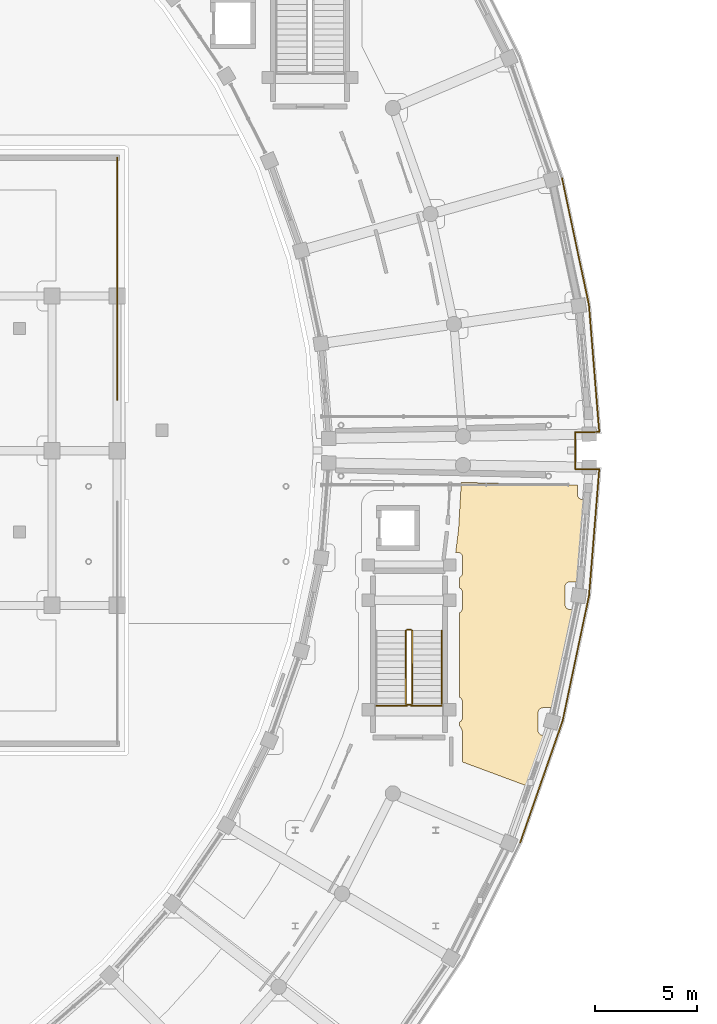
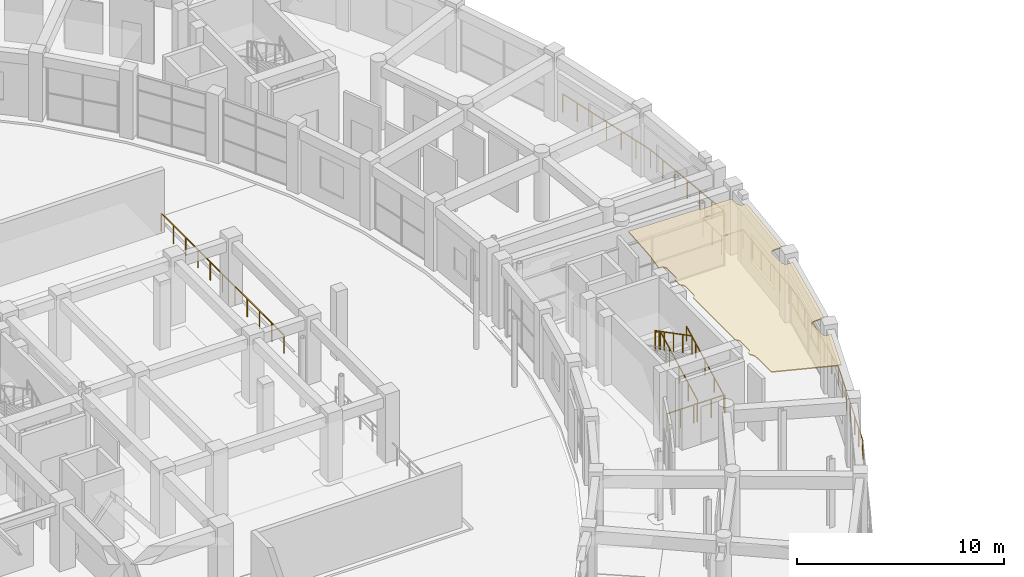
# One storey, part 83 of 87: 16 railings, 1 covering.
"""IFC4 building model written with IfcOpenShell, lengths in metres."""

from ifc_helpers import new_model, si_unit, direction, frame, origin, origin_2d, place, context, subcontext, project, spatial, polyline, rectangle, outline, extrude, material, layer, layer_set, type_object, element, save


model = new_model("IFC4")

# Units and contexts
model_context = context("Model", 3, precision=1e-05, world=origin(), true_north=direction((0.0, 1.0)))
body_context = subcontext(model_context, "Body", "Model", "MODEL_VIEW")
ifc_project = project(units=[si_unit("LENGTHUNIT", "METRE"), si_unit("AREAUNIT", "SQUARE_METRE"), si_unit("VOLUMEUNIT", "CUBIC_METRE"), si_unit("PLANEANGLEUNIT", "RADIAN"), si_unit("MASSUNIT", "GRAM", prefix="KILO")], contexts=[model_context])

# Site, building, storey
site_placement = place(None, origin())
site = spatial("IfcSite", under=ifc_project, at=site_placement, CompositionType="ELEMENT")
building_placement = place(site_placement, origin())
building = spatial("IfcBuilding", under=site, at=building_placement, Name="Saryqyr Civic Hall", CompositionType="ELEMENT")
storey_placement = place(building_placement, frame((0.0, 0.0, 5.10009765625)))
storey = spatial("IfcBuildingStorey", under=building, at=storey_placement, Name="L01", CompositionType="ELEMENT", Elevation=5.10009765625)

# Covering
ifc_material_1 = material(Name="Mineral-fibre acoustic ceiling tile", Category="acoustic_tile")
ifc_layer_1 = layer(ifc_material_1, 0.06005859375, Name="Mineral-fibre acoustic ceiling tile")
ifc_layer_set_1 = layer_set([ifc_layer_1], Name="Mineral-fibre acoustic ceiling tile")
covering_type = type_object("IfcCoveringType", Name="INT-COV-CEIL-60", PredefinedType="CEILING", material=ifc_layer_set_1)
covering_placement = place(storey_placement, frame((0.0, 0.0, 3.7099609375)))
element("IfcCovering", 1, at=covering_placement, inside=storey, type_object=covering_type, Name="Acoustic ceiling Public & Accessible MGN WC L01-E", PredefinedType="CEILING", context=body_context, shape_type="SweptSolid", body=[
    extrude(outline(polyline([(99.707275390625, 82.443359375), (103.612548828125, 82.351318359375), (103.625, 82.340087890625), (103.64453125, 82.32568359375), (103.665771484375, 82.31298828125), (103.687744140625, 82.302490234375), (103.7109375, 82.294189453125), (103.734619140625, 82.288330078125), (103.759033203125, 82.28466796875), (103.783447265625, 82.283447265625), (104.216552734375, 82.283447265625), (104.240966796875, 82.28466796875), (104.265380859375, 82.288330078125), (104.2890625, 82.294189453125), (104.312255859375, 82.302490234375), (104.334228515625, 82.31298828125), (104.35546875, 82.32568359375), (104.3662109375, 82.33349609375), (105.410400390625, 82.30908203125), (105.410400390625, 81.856689453125), (105.41162109375, 81.832275390625), (105.415283203125, 81.807861328125), (105.42138671875, 81.7841796875), (105.429443359375, 81.760986328125), (105.43994140625, 81.739013671875), (105.45263671875, 81.7177734375), (105.46728515625, 81.697998046875), (105.483642578125, 81.679931640625), (105.501953125, 81.663330078125), (105.521484375, 81.648681640625), (105.542724609375, 81.63623046875), (105.564697265625, 81.625732421875), (105.587890625, 81.617431640625), (105.61181640625, 81.611572265625), (105.635986328125, 81.60791015625), (105.660400390625, 81.606689453125), (105.82080078125, 81.606689453125), (105.564453125, 78.253173828125), (105.47314453125, 77.56005859375), (105.050048828125, 77.56005859375), (105.025390625, 77.558837890625), (105.001220703125, 77.55517578125), (104.977294921875, 77.54931640625), (104.954345703125, 77.541015625), (104.93212890625, 77.530517578125), (104.9111328125, 77.517822265625), (104.891357421875, 77.50341796875), (104.873291015625, 77.48681640625), (104.856689453125, 77.468505859375), (104.842041015625, 77.448974609375), (104.82958984375, 77.427734375), (104.819091796875, 77.40576171875), (104.810791015625, 77.382568359375), (104.8046875, 77.35888671875), (104.80126953125, 77.33447265625), (104.800048828125, 77.31005859375), (104.800048828125, 76.449951171875), (104.80126953125, 76.425537109375), (104.8046875, 76.401123046875), (104.810791015625, 76.37744140625), (104.819091796875, 76.354248046875), (104.82958984375, 76.332275390625), (104.842041015625, 76.31103515625), (104.856689453125, 76.29150390625), (104.873291015625, 76.273193359375), (104.891357421875, 76.256591796875), (104.9111328125, 76.2421875), (104.93212890625, 76.2294921875), (104.954345703125, 76.218994140625), (104.977294921875, 76.210693359375), (105.001220703125, 76.204833984375), (105.025390625, 76.201171875), (105.050048828125, 76.199951171875), (105.2939453125, 76.199951171875), (105.284912109375, 76.131591796875), (104.4287109375, 72.07470703125), (104.244384765625, 71.37109375), (103.72802734375, 71.37109375), (103.70361328125, 71.3701171875), (103.67919921875, 71.366455078125), (103.655517578125, 71.3603515625), (103.63232421875, 71.352294921875), (103.610107421875, 71.341796875), (103.589111328125, 71.3291015625), (103.5693359375, 71.314453125), (103.55126953125, 71.298095703125), (103.53466796875, 71.27978515625), (103.52001953125, 71.260009765625), (103.507568359375, 71.239013671875), (103.4970703125, 71.216796875), (103.48876953125, 71.19384765625), (103.48291015625, 71.169921875), (103.479248046875, 71.145751953125), (103.47802734375, 71.12109375), (103.47802734375, 70.26123046875), (103.479248046875, 70.23681640625), (103.48291015625, 70.21240234375), (103.48876953125, 70.188720703125), (103.4970703125, 70.16552734375), (103.507568359375, 70.143310546875), (103.52001953125, 70.122314453125), (103.53466796875, 70.1025390625), (103.55126953125, 70.08447265625), (103.5693359375, 70.06787109375), (103.589111328125, 70.05322265625), (103.610107421875, 70.040771484375), (103.63232421875, 70.0302734375), (103.655517578125, 70.02197265625), (103.67919921875, 70.01611328125), (103.70361328125, 70.012451171875), (103.72802734375, 70.01123046875), (103.877197265625, 70.01123046875), (103.002685546875, 67.504150390625), (99.77001953125, 68.705078125), (99.76953125, 70.10400390625), (99.76708984375, 70.156494140625), (99.759521484375, 70.20849609375), (99.7470703125, 70.259765625), (99.729736328125, 70.309326171875), (99.7080078125, 70.357177734375), (99.681396484375, 70.402587890625), (99.65087890625, 70.4453125), (99.6201171875, 70.480712890625), (99.6201171875, 70.666015625), (99.6376953125, 70.674560546875), (99.658935546875, 70.68701171875), (99.6787109375, 70.70166015625), (99.69677734375, 70.71826171875), (99.71337890625, 70.736328125), (99.727783203125, 70.756103515625), (99.740478515625, 70.777099609375), (99.7509765625, 70.79931640625), (99.75927734375, 70.822509765625), (99.76513671875, 70.84619140625), (99.768798828125, 70.87060546875), (99.77001953125, 70.89501953125), (99.77001953125, 71.655029296875), (99.768798828125, 71.679443359375), (99.76513671875, 71.703857421875), (99.75927734375, 71.7275390625), (99.7509765625, 71.750732421875), (99.740478515625, 71.772705078125), (99.727783203125, 71.7939453125), (99.71337890625, 71.813720703125), (99.69677734375, 71.831787109375), (99.6787109375, 71.848388671875), (99.658935546875, 71.86279296875), (99.6376953125, 71.87548828125), (99.6201171875, 71.8837890625), (99.6201171875, 76.041015625), (99.6376953125, 76.049560546875), (99.658935546875, 76.06201171875), (99.6787109375, 76.07666015625), (99.69677734375, 76.09326171875), (99.71337890625, 76.111328125), (99.727783203125, 76.131103515625), (99.740478515625, 76.152099609375), (99.7509765625, 76.17431640625), (99.75927734375, 76.197509765625), (99.76513671875, 76.22119140625), (99.768798828125, 76.24560546875), (99.77001953125, 76.27001953125), (99.77001953125, 77.030029296875), (99.768798828125, 77.054443359375), (99.76513671875, 77.078857421875), (99.75927734375, 77.1025390625), (99.7509765625, 77.125732421875), (99.740478515625, 77.147705078125), (99.727783203125, 77.1689453125), (99.71337890625, 77.188720703125), (99.69677734375, 77.206787109375), (99.6787109375, 77.223388671875), (99.658935546875, 77.23779296875), (99.6376953125, 77.25048828125), (99.6201171875, 77.2587890625), (99.6201171875, 77.77099609375), (99.6376953125, 77.779541015625), (99.658935546875, 77.7919921875), (99.6787109375, 77.806640625), (99.69677734375, 77.8232421875), (99.71337890625, 77.84130859375), (99.727783203125, 77.861083984375), (99.740478515625, 77.882080078125), (99.7509765625, 77.904296875), (99.75927734375, 77.927490234375), (99.76513671875, 77.951171875), (99.768798828125, 77.9755859375), (99.77001953125, 78.0), (99.77001953125, 78.760009765625), (99.768798828125, 78.784423828125), (99.76513671875, 78.808837890625), (99.75927734375, 78.83251953125), (99.7509765625, 78.855712890625), (99.740478515625, 78.877685546875), (99.727783203125, 78.89892578125), (99.71337890625, 78.918701171875), (99.69677734375, 78.936767578125), (99.6787109375, 78.953369140625), (99.658935546875, 78.968017578125), (99.6376953125, 78.98046875), (99.61572265625, 78.990966796875), (99.592529296875, 78.999267578125), (99.56884765625, 79.005126953125), (99.54443359375, 79.0087890625), (99.52001953125, 79.010009765625), (99.43505859375, 79.010009765625), (99.57470703125, 80.1376953125), (99.578125, 80.17431640625), (99.707275390625, 82.443359375)])), origin(), (0.0, 0.0, 1.0), 0.06005859375),
])

# Railings
ifc_material_2 = material(Name="Warm brushed brass and laminated glass", Category="glass")
ifc_layer_2 = layer(ifc_material_2, 0.06005859375, Name="Warm brushed brass and laminated glass")
ifc_layer_set_2 = layer_set([ifc_layer_2], Name="Warm brushed brass and laminated glass")
railing_type_1 = type_object("IfcRailingType", Name="INT-RLG-BAL-1100", PredefinedType="BALUSTRADE", material=ifc_layer_set_2)
railing_1_placement = place(storey_placement, frame((82.800048828125, 86.5, 0.0)))
element("IfcRailing", 2, at=railing_1_placement, inside=storey, type_object=railing_type_1, Name="Perimeter safety balustrade V1-JNTGB-L01-08-G01", PredefinedType="BALUSTRADE", context=body_context, shape_type="SweptSolid", body=[
    extrude(rectangle(XDim=0.048095703125, YDim=0.048095703125, at=origin_2d()), frame((0.0, 0.0, 1.076171875), z_axis=(0.0, 1.0, 0.0), x_axis=(-1.0, 0.0, 0.0)), (0.0, 0.0, 1.0), 11.89990234375),
    extrude(rectangle(XDim=0.0419921875, YDim=0.0419921875, at=origin_2d()), origin(), (0.0, 0.0, 1.0), 1.052001953125),
    extrude(rectangle(XDim=0.0419921875, YDim=0.0419921875, at=origin_2d()), frame((0.0, 1.18994140625, 0.0)), (0.0, 0.0, 1.0), 1.052001953125),
    extrude(rectangle(XDim=0.0419921875, YDim=0.0419921875, at=origin_2d()), frame((0.0, 2.3798828125, 0.0)), (0.0, 0.0, 1.0), 1.052001953125),
    extrude(rectangle(XDim=0.0419921875, YDim=0.0419921875, at=origin_2d()), frame((0.0, 3.570068359375, 0.0)), (0.0, 0.0, 1.0), 1.052001953125),
    extrude(rectangle(XDim=0.0419921875, YDim=0.0419921875, at=origin_2d()), frame((0.0, 4.760009765625, 0.0)), (0.0, 0.0, 1.0), 1.052001953125),
    extrude(rectangle(XDim=0.0419921875, YDim=0.0419921875, at=origin_2d()), frame((0.0, 5.949951171875, 0.0)), (0.0, 0.0, 1.0), 1.052001953125),
    extrude(rectangle(XDim=0.0419921875, YDim=0.0419921875, at=origin_2d()), frame((0.0, 7.139892578125, 0.0)), (0.0, 0.0, 1.0), 1.052001953125),
    extrude(rectangle(XDim=0.0419921875, YDim=0.0419921875, at=origin_2d()), frame((0.0, 8.329833984375, 0.0)), (0.0, 0.0, 1.0), 1.052001953125),
    extrude(rectangle(XDim=0.0419921875, YDim=0.0419921875, at=origin_2d()), frame((0.0, 9.52001953125, 0.0)), (0.0, 0.0, 1.0), 1.052001953125),
    extrude(rectangle(XDim=0.0419921875, YDim=0.0419921875, at=origin_2d()), frame((0.0, 10.7099609375, 0.0)), (0.0, 0.0, 1.0), 1.052001953125),
    extrude(rectangle(XDim=0.0419921875, YDim=0.0419921875, at=origin_2d()), frame((0.0, 11.89990234375, 0.0)), (0.0, 0.0, 1.0), 1.052001953125),
])
railing_2_placement = place(storey_placement, frame((97.2900390625, 71.56005859375, 0.15576171875)))
element("IfcRailing", 3, at=railing_2_placement, inside=storey, type_object=railing_type_1, Name="L01 ST-5 stair guard 1", PredefinedType="BALUSTRADE", context=body_context, shape_type="SweptSolid", body=[
    extrude(rectangle(XDim=0.048095703125, YDim=0.048095703125, at=origin_2d()), frame((0.0, 0.0, 1.076171875), z_axis=(0.0, 0.887497496945, 0.460812535545), x_axis=(-1.0, 0.0, 0.0)), (0.0, 0.0, 1.0), 4.05615234375),
    extrude(rectangle(XDim=0.0419921875, YDim=0.0419921875, at=origin_2d()), origin(), (0.0, 0.0, 1.0), 1.052001953125),
    extrude(rectangle(XDim=0.0419921875, YDim=0.0419921875, at=origin_2d()), frame((0.0, 0.89990234375, 0.46728515625)), (0.0, 0.0, 1.0), 1.052001953125),
    extrude(rectangle(XDim=0.0419921875, YDim=0.0419921875, at=origin_2d()), frame((0.0, 1.7998046875, 0.9345703125)), (0.0, 0.0, 1.0), 1.052001953125),
    extrude(rectangle(XDim=0.0419921875, YDim=0.0419921875, at=origin_2d()), frame((0.0, 2.699951171875, 1.40185546875)), (0.0, 0.0, 1.0), 1.052001953125),
    extrude(rectangle(XDim=0.0419921875, YDim=0.0419921875, at=origin_2d()), frame((0.0, 3.599853515625, 1.869140625)), (0.0, 0.0, 1.0), 1.052001953125),
])
railing_3_placement = place(storey_placement, frame((97.239990234375, 75.2099609375, 2.02490234375)))
element("IfcRailing", 4, at=railing_3_placement, inside=storey, type_object=railing_type_1, Name="L01 ST-5 stair guard 2", PredefinedType="BALUSTRADE", context=body_context, shape_type="SweptSolid", body=[
    extrude(rectangle(XDim=0.048095703125, YDim=0.048095703125, at=origin_2d()), frame((0.0, 0.0, 1.076171875), z_axis=(-1.0, 0.0, 0.0), x_axis=(0.0, -1.0, 0.0)), (0.0, 0.0, 1.0), 0.199951171875),
    extrude(rectangle(XDim=0.0419921875, YDim=0.0419921875, at=origin_2d()), origin(), (0.0, 0.0, 1.0), 1.052001953125),
    extrude(rectangle(XDim=0.0419921875, YDim=0.0419921875, at=origin_2d()), frame((-0.199951171875, 0.0, 0.0)), (0.0, 0.0, 1.0), 1.052001953125),
])
railing_4_placement = place(storey_placement, frame((96.989990234375, 75.159912109375, 2.1806640625)))
element("IfcRailing", 5, at=railing_4_placement, inside=storey, type_object=railing_type_1, Name="L01 ST-5 stair guard 3", PredefinedType="BALUSTRADE", context=body_context, shape_type="SweptSolid", body=[
    extrude(rectangle(XDim=0.048095703125, YDim=0.048095703125, at=origin_2d()), frame((0.0, 0.0, 1.076171875), z_axis=(0.0, -0.887497496945, 0.460812535545), x_axis=(1.0, 0.0, 0.0)), (0.0, 0.0, 1.0), 4.05615234375),
    extrude(rectangle(XDim=0.0419921875, YDim=0.0419921875, at=origin_2d()), origin(), (0.0, 0.0, 1.0), 1.052001953125),
    extrude(rectangle(XDim=0.0419921875, YDim=0.0419921875, at=origin_2d()), frame((0.0, -0.89990234375, 0.46728515625)), (0.0, 0.0, 1.0), 1.052001953125),
    extrude(rectangle(XDim=0.0419921875, YDim=0.0419921875, at=origin_2d()), frame((0.0, -1.7998046875, 0.9345703125)), (0.0, 0.0, 1.0), 1.052001953125),
    extrude(rectangle(XDim=0.0419921875, YDim=0.0419921875, at=origin_2d()), frame((0.0, -2.699951171875, 1.40185546875)), (0.0, 0.0, 1.0), 1.052001953125),
    extrude(rectangle(XDim=0.0419921875, YDim=0.0419921875, at=origin_2d()), frame((0.0, -3.599853515625, 1.869140625)), (0.0, 0.0, 1.0), 1.052001953125),
])
railing_5_placement = place(storey_placement, frame((97.239990234375, 71.510009765625, 0.0)))
element("IfcRailing", 6, at=railing_5_placement, inside=storey, type_object=railing_type_1, Name="L01 ST-5 stair guard 4", PredefinedType="BALUSTRADE", context=body_context, shape_type="SweptSolid", body=[
    extrude(rectangle(XDim=0.048095703125, YDim=0.048095703125, at=origin_2d()), frame((0.0, 0.0, 1.076171875), z_axis=(-1.0, 0.0, 0.0), x_axis=(0.0, -1.0, 0.0)), (0.0, 0.0, 1.0), 0.199951171875),
    extrude(rectangle(XDim=0.0419921875, YDim=0.0419921875, at=origin_2d()), origin(), (0.0, 0.0, 1.0), 1.052001953125),
    extrude(rectangle(XDim=0.0419921875, YDim=0.0419921875, at=origin_2d()), frame((-0.199951171875, 0.0, 0.0)), (0.0, 0.0, 1.0), 1.052001953125),
])
railing_6_placement = place(storey_placement, frame((104.657958984375, 97.376708984375, 0.0)))
element("IfcRailing", 7, at=railing_6_placement, inside=storey, type_object=railing_type_1, Name="Interior deck safety balustrade L01-037", PredefinedType="BALUSTRADE", context=body_context, shape_type="SweptSolid", body=[
    extrude(rectangle(XDim=0.048095703125, YDim=0.048095703125, at=origin_2d()), frame((0.0, 0.0, 1.09619140625), z_axis=(0.207858296561, -0.97815894851, 0.0), x_axis=(0.97815894851, 0.207858296561, 0.0)), (0.0, 0.0, 1.0), 6.35791015625),
    extrude(rectangle(XDim=0.0419921875, YDim=0.0419921875, at=origin_2d()), origin(), (0.0, 0.0, 1.0), 1.072021484375),
    extrude(rectangle(XDim=0.0419921875, YDim=0.0419921875, at=origin_2d()), frame((0.22021484375, -1.03662109375, 0.0)), (0.0, 0.0, 1.0), 1.072021484375),
    extrude(rectangle(XDim=0.0419921875, YDim=0.0419921875, at=origin_2d()), frame((0.4404296875, -2.072998046875, 0.0)), (0.0, 0.0, 1.0), 1.072021484375),
    extrude(rectangle(XDim=0.0419921875, YDim=0.0419921875, at=origin_2d()), frame((0.66064453125, -3.109375, 0.0)), (0.0, 0.0, 1.0), 1.072021484375),
    extrude(rectangle(XDim=0.0419921875, YDim=0.0419921875, at=origin_2d()), frame((0.881103515625, -4.14599609375, 0.0)), (0.0, 0.0, 1.0), 1.072021484375),
    extrude(rectangle(XDim=0.0419921875, YDim=0.0419921875, at=origin_2d()), frame((1.101318359375, -5.1826171875, 0.0)), (0.0, 0.0, 1.0), 1.072021484375),
    extrude(rectangle(XDim=0.0419921875, YDim=0.0419921875, at=origin_2d()), frame((1.321533203125, -6.218994140625, 0.0)), (0.0, 0.0, 1.0), 1.072021484375),
])
railing_7_placement = place(storey_placement, frame((105.9794921875, 91.15771484375, 0.0)))
element("IfcRailing", 8, at=railing_7_placement, inside=storey, type_object=railing_type_1, Name="Interior deck safety balustrade L01-038", PredefinedType="BALUSTRADE", context=body_context, shape_type="SweptSolid", body=[
    extrude(rectangle(XDim=0.048095703125, YDim=0.048095703125, at=origin_2d()), frame((0.0, 0.0, 1.09619140625), z_axis=(0.080762441528, -0.996733378612, 0.0), x_axis=(0.996733378612, 0.080762441528, 0.0)), (0.0, 0.0, 1.0), 6.257568359375),
    extrude(rectangle(XDim=0.0419921875, YDim=0.0419921875, at=origin_2d()), origin(), (0.0, 0.0, 1.0), 1.072021484375),
    extrude(rectangle(XDim=0.0419921875, YDim=0.0419921875, at=origin_2d()), frame((0.084228515625, -1.03955078125, 0.0)), (0.0, 0.0, 1.0), 1.072021484375),
    extrude(rectangle(XDim=0.0419921875, YDim=0.0419921875, at=origin_2d()), frame((0.16845703125, -2.0791015625, 0.0)), (0.0, 0.0, 1.0), 1.072021484375),
    extrude(rectangle(XDim=0.0419921875, YDim=0.0419921875, at=origin_2d()), frame((0.252685546875, -3.11865234375, 0.0)), (0.0, 0.0, 1.0), 1.072021484375),
    extrude(rectangle(XDim=0.0419921875, YDim=0.0419921875, at=origin_2d()), frame((0.3369140625, -4.157958984375, 0.0)), (0.0, 0.0, 1.0), 1.072021484375),
    extrude(rectangle(XDim=0.0419921875, YDim=0.0419921875, at=origin_2d()), frame((0.421142578125, -5.197509765625, 0.0)), (0.0, 0.0, 1.0), 1.072021484375),
    extrude(rectangle(XDim=0.0419921875, YDim=0.0419921875, at=origin_2d()), frame((0.50537109375, -6.237060546875, 0.0)), (0.0, 0.0, 1.0), 1.072021484375),
])
railing_8_placement = place(storey_placement, frame((106.48486328125, 84.920654296875, 0.0)))
element("IfcRailing", 9, at=railing_8_placement, inside=storey, type_object=railing_type_1, Name="Interior deck safety balustrade L01-039", PredefinedType="BALUSTRADE", context=body_context, shape_type="SweptSolid", body=[
    extrude(rectangle(XDim=0.048095703125, YDim=0.048095703125, at=origin_2d()), frame((0.0, 0.0, 1.09619140625), z_axis=(-0.999860739249, -0.016688382419, 0.0), x_axis=(0.016688382419, -0.999860739249, 0.0)), (0.0, 0.0, 1.0), 1.18505859375),
    extrude(rectangle(XDim=0.0419921875, YDim=0.0419921875, at=origin_2d()), origin(), (0.0, 0.0, 1.0), 1.072021484375),
    extrude(rectangle(XDim=0.0419921875, YDim=0.0419921875, at=origin_2d()), frame((-1.184814453125, -0.019775390625, 0.0)), (0.0, 0.0, 1.0), 1.072021484375),
])
railing_9_placement = place(storey_placement, frame((105.300048828125, 84.90087890625, 0.0)))
element("IfcRailing", 10, at=railing_9_placement, inside=storey, type_object=railing_type_1, Name="Interior deck safety balustrade L01-040", PredefinedType="BALUSTRADE", context=body_context, shape_type="SweptSolid", body=[
    extrude(rectangle(XDim=0.048095703125, YDim=0.048095703125, at=origin_2d()), frame((0.0, 0.0, 1.09619140625), z_axis=(0.0, -1.0, 0.0), x_axis=(1.0, 0.0, 0.0)), (0.0, 0.0, 1.0), 1.8017578125),
    extrude(rectangle(XDim=0.0419921875, YDim=0.0419921875, at=origin_2d()), origin(), (0.0, 0.0, 1.0), 1.072021484375),
    extrude(rectangle(XDim=0.0419921875, YDim=0.0419921875, at=origin_2d()), frame((0.0, -0.90087890625, 0.0)), (0.0, 0.0, 1.0), 1.072021484375),
    extrude(rectangle(XDim=0.0419921875, YDim=0.0419921875, at=origin_2d()), frame((0.0, -1.8017578125, 0.0)), (0.0, 0.0, 1.0), 1.072021484375),
])
railing_10_placement = place(storey_placement, frame((105.300048828125, 83.09912109375, 0.0)))
element("IfcRailing", 11, at=railing_10_placement, inside=storey, type_object=railing_type_1, Name="Interior deck safety balustrade L01-041", PredefinedType="BALUSTRADE", context=body_context, shape_type="SweptSolid", body=[
    extrude(rectangle(XDim=0.048095703125, YDim=0.048095703125, at=origin_2d()), frame((0.0, 0.0, 1.09619140625), z_axis=(0.999860796611, -0.016684945308, 0.0), x_axis=(0.016684945308, 0.999860796611, 0.0)), (0.0, 0.0, 1.0), 1.185302734375),
    extrude(rectangle(XDim=0.0419921875, YDim=0.0419921875, at=origin_2d()), origin(), (0.0, 0.0, 1.0), 1.072021484375),
    extrude(rectangle(XDim=0.0419921875, YDim=0.0419921875, at=origin_2d()), frame((1.18505859375, -0.019775390625, 0.0)), (0.0, 0.0, 1.0), 1.072021484375),
])
railing_11_placement = place(storey_placement, frame((106.485107421875, 83.079345703125, 0.0)))
element("IfcRailing", 12, at=railing_11_placement, inside=storey, type_object=railing_type_1, Name="Interior deck safety balustrade L01-042", PredefinedType="BALUSTRADE", context=body_context, shape_type="SweptSolid", body=[
    extrude(rectangle(XDim=0.048095703125, YDim=0.048095703125, at=origin_2d()), frame((0.0, 0.0, 1.09619140625), z_axis=(-0.080309228411, -0.996769997458, 0.0), x_axis=(0.996769997458, -0.080309228411, 0.0)), (0.0, 0.0, 1.0), 6.210693359375),
    extrude(rectangle(XDim=0.0419921875, YDim=0.0419921875, at=origin_2d()), origin(), (0.0, 0.0, 1.0), 1.072021484375),
    extrude(rectangle(XDim=0.0419921875, YDim=0.0419921875, at=origin_2d()), frame((-0.0830078125, -1.03173828125, 0.0)), (0.0, 0.0, 1.0), 1.072021484375),
    extrude(rectangle(XDim=0.0419921875, YDim=0.0419921875, at=origin_2d()), frame((-0.166259765625, -2.0634765625, 0.0)), (0.0, 0.0, 1.0), 1.072021484375),
    extrude(rectangle(XDim=0.0419921875, YDim=0.0419921875, at=origin_2d()), frame((-0.24951171875, -3.09521484375, 0.0)), (0.0, 0.0, 1.0), 1.072021484375),
    extrude(rectangle(XDim=0.0419921875, YDim=0.0419921875, at=origin_2d()), frame((-0.33251953125, -4.127197265625, 0.0)), (0.0, 0.0, 1.0), 1.072021484375),
    extrude(rectangle(XDim=0.0419921875, YDim=0.0419921875, at=origin_2d()), frame((-0.41552734375, -5.158935546875, 0.0)), (0.0, 0.0, 1.0), 1.072021484375),
    extrude(rectangle(XDim=0.0419921875, YDim=0.0419921875, at=origin_2d()), frame((-0.498779296875, -6.190673828125, 0.0)), (0.0, 0.0, 1.0), 1.072021484375),
])
railing_12_placement = place(storey_placement, frame((105.986328125, 76.888671875, 0.0)))
element("IfcRailing", 13, at=railing_12_placement, inside=storey, type_object=railing_type_1, Name="Interior deck safety balustrade L01-043", PredefinedType="BALUSTRADE", context=body_context, shape_type="SweptSolid", body=[
    extrude(rectangle(XDim=0.048095703125, YDim=0.048095703125, at=origin_2d()), frame((0.0, 0.0, 1.09619140625), z_axis=(-0.206453009757, -0.978456516541, 0.0), x_axis=(0.978456516541, -0.206453009757, 0.0)), (0.0, 0.0, 1.0), 6.311279296875),
    extrude(rectangle(XDim=0.0419921875, YDim=0.0419921875, at=origin_2d()), origin(), (0.0, 0.0, 1.0), 1.072021484375),
    extrude(rectangle(XDim=0.0419921875, YDim=0.0419921875, at=origin_2d()), frame((-0.21728515625, -1.029296875, 0.0)), (0.0, 0.0, 1.0), 1.072021484375),
    extrude(rectangle(XDim=0.0419921875, YDim=0.0419921875, at=origin_2d()), frame((-0.434326171875, -2.058349609375, 0.0)), (0.0, 0.0, 1.0), 1.072021484375),
    extrude(rectangle(XDim=0.0419921875, YDim=0.0419921875, at=origin_2d()), frame((-0.6513671875, -3.087646484375, 0.0)), (0.0, 0.0, 1.0), 1.072021484375),
    extrude(rectangle(XDim=0.0419921875, YDim=0.0419921875, at=origin_2d()), frame((-0.86865234375, -4.116943359375, 0.0)), (0.0, 0.0, 1.0), 1.072021484375),
    extrude(rectangle(XDim=0.0419921875, YDim=0.0419921875, at=origin_2d()), frame((-1.0859375, -5.14599609375, 0.0)), (0.0, 0.0, 1.0), 1.072021484375),
    extrude(rectangle(XDim=0.0419921875, YDim=0.0419921875, at=origin_2d()), frame((-1.302978515625, -6.17529296875, 0.0)), (0.0, 0.0, 1.0), 1.072021484375),
])
railing_13_placement = place(storey_placement, frame((104.683349609375, 70.71337890625, 0.0)))
element("IfcRailing", 14, at=railing_13_placement, inside=storey, type_object=railing_type_1, Name="Interior deck safety balustrade L01-044", PredefinedType="BALUSTRADE", context=body_context, shape_type="SweptSolid", body=[
    extrude(rectangle(XDim=0.048095703125, YDim=0.048095703125, at=origin_2d()), frame((0.0, 0.0, 1.09619140625), z_axis=(-0.329288741156, -0.944229275625, 0.0), x_axis=(0.944229275625, -0.329288741156, 0.0)), (0.0, 0.0, 1.0), 6.31103515625),
    extrude(rectangle(XDim=0.0419921875, YDim=0.0419921875, at=origin_2d()), origin(), (0.0, 0.0, 1.0), 1.072021484375),
    extrude(rectangle(XDim=0.0419921875, YDim=0.0419921875, at=origin_2d()), frame((-0.346435546875, -0.9931640625, 0.0)), (0.0, 0.0, 1.0), 1.072021484375),
    extrude(rectangle(XDim=0.0419921875, YDim=0.0419921875, at=origin_2d()), frame((-0.692626953125, -1.986328125, 0.0)), (0.0, 0.0, 1.0), 1.072021484375),
    extrude(rectangle(XDim=0.0419921875, YDim=0.0419921875, at=origin_2d()), frame((-1.0390625, -2.9794921875, 0.0)), (0.0, 0.0, 1.0), 1.072021484375),
    extrude(rectangle(XDim=0.0419921875, YDim=0.0419921875, at=origin_2d()), frame((-1.385498046875, -3.97265625, 0.0)), (0.0, 0.0, 1.0), 1.072021484375),
    extrude(rectangle(XDim=0.0419921875, YDim=0.0419921875, at=origin_2d()), frame((-1.731689453125, -4.9658203125, 0.0)), (0.0, 0.0, 1.0), 1.072021484375),
    extrude(rectangle(XDim=0.0419921875, YDim=0.0419921875, at=origin_2d()), frame((-2.078125, -5.958984375, 0.0)), (0.0, 0.0, 1.0), 1.072021484375),
])
railing_14_placement = place(storey_placement, frame((95.52490234375, 71.4599609375, 0.0)))
element("IfcRailing", 15, at=railing_14_placement, inside=storey, type_object=railing_type_1, Name="Interior deck safety balustrade L01-058", PredefinedType="BALUSTRADE", context=body_context, shape_type="SweptSolid", body=[
    extrude(rectangle(XDim=0.048095703125, YDim=0.048095703125, at=origin_2d()), frame((0.0, 0.0, 1.09619140625), z_axis=(1.0, 0.0, 0.0), x_axis=(0.0, 1.0, 0.0)), (0.0, 0.0, 1.0), 1.51513671875),
    extrude(rectangle(XDim=0.0419921875, YDim=0.0419921875, at=origin_2d()), origin(), (0.0, 0.0, 1.0), 1.072021484375),
    extrude(rectangle(XDim=0.0419921875, YDim=0.0419921875, at=origin_2d()), frame((0.757568359375, 0.0, 0.0)), (0.0, 0.0, 1.0), 1.072021484375),
    extrude(rectangle(XDim=0.0419921875, YDim=0.0419921875, at=origin_2d()), frame((1.51513671875, 0.0, 0.0)), (0.0, 0.0, 1.0), 1.072021484375),
])
railing_15_placement = place(storey_placement, frame((97.239990234375, 71.4599609375, 0.0)))
element("IfcRailing", 16, at=railing_15_placement, inside=storey, type_object=railing_type_1, Name="Interior deck safety balustrade L01-059", PredefinedType="BALUSTRADE", context=body_context, shape_type="SweptSolid", body=[
    extrude(rectangle(XDim=0.048095703125, YDim=0.048095703125, at=origin_2d()), frame((0.0, 0.0, 1.09619140625), z_axis=(1.0, 0.0, 0.0), x_axis=(0.0, 1.0, 0.0)), (0.0, 0.0, 1.0), 1.514892578125),
    extrude(rectangle(XDim=0.0419921875, YDim=0.0419921875, at=origin_2d()), origin(), (0.0, 0.0, 1.0), 1.072021484375),
    extrude(rectangle(XDim=0.0419921875, YDim=0.0419921875, at=origin_2d()), frame((0.75732421875, 0.0, 0.0)), (0.0, 0.0, 1.0), 1.072021484375),
    extrude(rectangle(XDim=0.0419921875, YDim=0.0419921875, at=origin_2d()), frame((1.514892578125, 0.0, 0.0)), (0.0, 0.0, 1.0), 1.072021484375),
])
ifc_material_3 = material(Name="Stainless steel", Category="steel")
ifc_layer_3 = layer(ifc_material_3, 0.050048828125, Name="Stainless steel")
ifc_layer_set_3 = layer_set([ifc_layer_3], Name="Stainless steel")
railing_type_2 = type_object("IfcRailingType", Name="INT-RLG-HND-900", PredefinedType="HANDRAIL", material=ifc_layer_set_3)
railing_16_placement = place(storey_placement, frame((98.75, 71.56005859375, 0.15576171875)))
element("IfcRailing", 17, at=railing_16_placement, inside=storey, type_object=railing_type_2, Name="L01 ST-5 stair handrail 1", PredefinedType="HANDRAIL", context=body_context, shape_type="SweptSolid", body=[
    extrude(rectangle(XDim=0.048095703125, YDim=0.048095703125, at=origin_2d()), frame((0.0, 0.0, 0.8759765625), z_axis=(0.0, 0.887497496945, 0.460812535545), x_axis=(-1.0, 0.0, 0.0)), (0.0, 0.0, 1.0), 4.05615234375),
    extrude(rectangle(XDim=0.0419921875, YDim=0.0419921875, at=origin_2d()), origin(), (0.0, 0.0, 1.0), 0.851806640625),
    extrude(rectangle(XDim=0.0419921875, YDim=0.0419921875, at=origin_2d()), frame((0.0, 0.89990234375, 0.46728515625)), (0.0, 0.0, 1.0), 0.851806640625),
    extrude(rectangle(XDim=0.0419921875, YDim=0.0419921875, at=origin_2d()), frame((0.0, 1.7998046875, 0.9345703125)), (0.0, 0.0, 1.0), 0.851806640625),
    extrude(rectangle(XDim=0.0419921875, YDim=0.0419921875, at=origin_2d()), frame((0.0, 2.699951171875, 1.40185546875)), (0.0, 0.0, 1.0), 0.851806640625),
    extrude(rectangle(XDim=0.0419921875, YDim=0.0419921875, at=origin_2d()), frame((0.0, 3.599853515625, 1.869140625)), (0.0, 0.0, 1.0), 0.851806640625),
])

save(model, "model.ifc")
